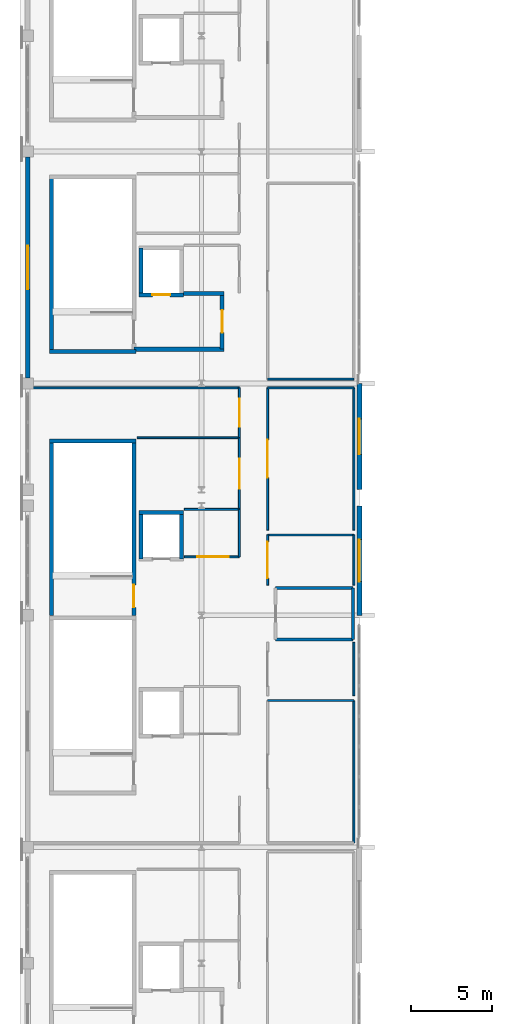
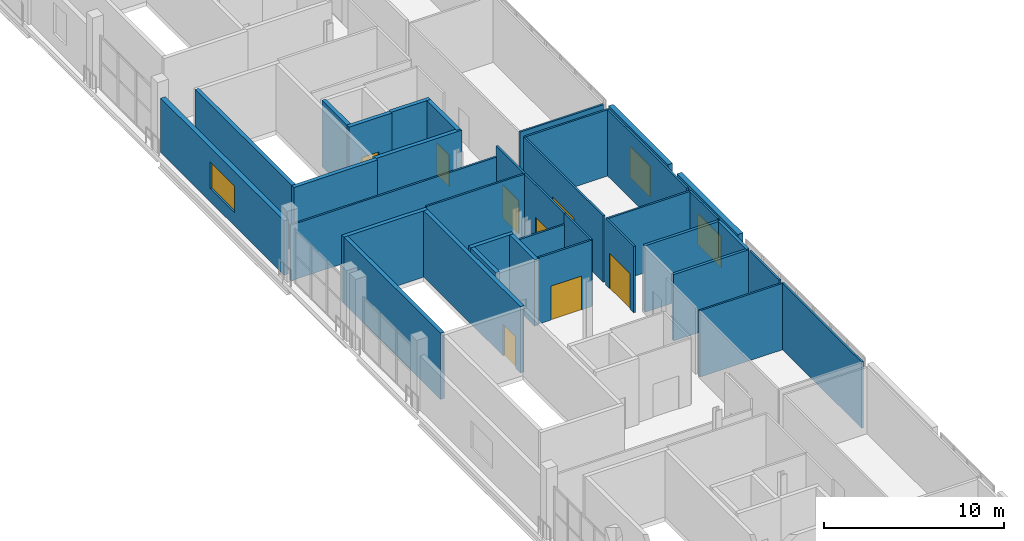
# One storey, part 14 of 19: 36 walls, 8 doors, 3 windows, 11 openings.
"""IFC4 building model written with IfcOpenShell, lengths in metres."""

from ifc_helpers import new_model, si_unit, direction, frame, frame_2d, origin, place, context, subcontext, project, spatial, rectangle, extrude, material, layer, layer_set, type_object, element, fill, save


model = new_model("IFC4")

# Units and contexts
model_context = context("Model", 3, precision=1e-05, world=origin(), true_north=direction((0.0, 1.0)))
body_context = subcontext(model_context, "Body", "Model", "MODEL_VIEW")
ifc_project = project(units=[si_unit("LENGTHUNIT", "METRE"), si_unit("AREAUNIT", "SQUARE_METRE"), si_unit("VOLUMEUNIT", "CUBIC_METRE"), si_unit("PLANEANGLEUNIT", "RADIAN"), si_unit("MASSUNIT", "GRAM", prefix="KILO")], contexts=[model_context])

# Site, building, storey
site_placement = place(None, origin())
site = spatial("IfcSite", under=ifc_project, at=site_placement, CompositionType="ELEMENT")
building_placement = place(site_placement, origin())
building = spatial("IfcBuilding", under=site, at=building_placement, Name="Koshinbarg Plaza Stadium", CompositionType="ELEMENT")
storey_placement = place(building_placement, frame((0.0, 0.0, 29.39990234375)))
storey = spatial("IfcBuildingStorey", under=building, at=storey_placement, Name="L06", CompositionType="ELEMENT", Elevation=29.39990234375)

# Walls
ifc_material_1 = material(Name="Concrete C40/50", Category="concrete")
ifc_layer_1 = layer(ifc_material_1, 0.25)
ifc_layer_set_1 = layer_set([ifc_layer_1], Name="Concrete C40/50")
wall_type_1 = type_object("IfcWallType", Name="WL-CORE-250", PredefinedType="SHEAR", material=ifc_layer_set_1)
wall_1_placement = place(storey_placement, frame((31.320068359375, 79.52490234375, 0.0), z_axis=(0.0, 0.0, 1.0), x_axis=(-1.0, 0.0, 0.0)))
element("IfcWall", 1, at=wall_1_placement, inside=storey, type_object=wall_type_1, Name="L06 core stair shear wall C04-far IWL-L06-0103", PredefinedType="SHEAR", context=body_context, shape_type="SweptSolid", body=[
    extrude(rectangle(XDim=5.3701171875, YDim=0.25, at=frame_2d((2.68505859375, 0.0))), origin(), (0.0, 0.0, 1.0), 4.5),
])
wall_2_placement = place(storey_placement, frame((26.074951171875, 68.675048828125, 0.0), z_axis=(0.0, 0.0, 1.0), x_axis=(0.0, 1.0, 0.0)))
element("IfcWall", 2, at=wall_2_placement, inside=storey, type_object=wall_type_1, Name="L06 core stair shear wall C04-left IWL-L06-0104", PredefinedType="SHEAR", context=body_context, shape_type="SweptSolid", body=[
    extrude(rectangle(XDim=10.849853515625, YDim=0.25, at=frame_2d((5.4248046875, 0.0))), origin(), (0.0, 0.0, 1.0), 4.5),
])

# Wall, opening, door
wall_3_placement = place(storey_placement, frame((31.195068359375, 68.675048828125, 0.0), z_axis=(0.0, 0.0, 1.0), x_axis=(0.0, 1.0, 0.0)))
wall_3 = element("IfcWall", 3, at=wall_3_placement, inside=storey, type_object=wall_type_1, Name="L06 core stair shear wall C04-right IWL-L06-0105", PredefinedType="SHEAR", context=body_context, shape_type="SweptSolid", body=[
    extrude(rectangle(XDim=10.849853515625, YDim=0.25, at=frame_2d((5.4248046875, 0.0))), origin(), (0.0, 0.0, 1.0), 4.5),
])
opening_1_placement = place(wall_3_placement, frame((0.52001953125, 0.0, 0.0)))
opening_1 = element("IfcOpeningElement", 4, at=opening_1_placement, cuts=wall_3, Name="Opening D-0088", PredefinedType="OPENING", context=body_context, shape_type="SweptSolid", body=[
    extrude(rectangle(XDim=1.39990234375, YDim=2.14990234375, at=frame_2d((0.699951171875, 1.074951171875))), frame((0.0, 0.135009765625, 0.0), z_axis=(0.0, -1.0, 0.0), x_axis=(1.0, 0.0, 0.0)), (0.0, 0.0, 1.0), 0.27001953125),
])
ifc_material_2 = material(Name="Painted galvanized steel fire door", Category="steel")
door_type_1 = type_object("IfcDoorType", Name="DR-STAIR-1400", OperationType="NOTDEFINED", PredefinedType="DOOR", material=ifc_material_2)
door_1_placement = place(opening_1_placement, origin())
door_1 = element("IfcDoor", 5, at=door_1_placement, inside=storey, type_object=door_type_1, Name="L06 exit stair door C04", OperationType="SINGLE_SWING_LEFT", OverallHeight=2.14990234375, OverallWidth=1.39990234375, PredefinedType="DOOR", context=body_context, shape_type="SweptSolid", body=[
    extrude(rectangle(XDim=1.39990234375, YDim=2.14990234375, at=frame_2d((0.699951171875, 1.074951171875))), frame((0.0, 0.02490234375, 0.0), z_axis=(0.0, -1.0, 0.0), x_axis=(1.0, 0.0, 0.0)), (0.0, 0.0, 1.0), 0.050048828125),
])
fill(opening_1, door_1)

# Walls
wall_4_placement = place(storey_placement, frame((25.949951171875, 85.074951171875, 0.0), z_axis=(0.0, 0.0, 1.0), x_axis=(1.0, 0.0, 0.0)))
element("IfcWall", 6, at=wall_4_placement, inside=storey, type_object=wall_type_1, Name="L06 core stair shear wall C05-near IWL-L06-0130", PredefinedType="SHEAR", context=body_context, shape_type="SweptSolid", body=[
    extrude(rectangle(XDim=5.3701171875, YDim=0.25, at=frame_2d((2.68505859375, 0.0))), origin(), (0.0, 0.0, 1.0), 4.5),
])
wall_5_placement = place(storey_placement, frame((26.074951171875, 85.074951171875, 0.0), z_axis=(0.0, 0.0, 1.0), x_axis=(0.0, 1.0, 0.0)))
element("IfcWall", 7, at=wall_5_placement, inside=storey, type_object=wall_type_1, Name="L06 core stair shear wall C05-left IWL-L06-0132", PredefinedType="SHEAR", context=body_context, shape_type="SweptSolid", body=[
    extrude(rectangle(XDim=10.85009765625, YDim=0.25, at=frame_2d((5.425048828125, 0.0))), origin(), (0.0, 0.0, 1.0), 4.5),
])
wall_6_placement = place(storey_placement, frame((34.27490234375, 75.10009765625, 0.0), z_axis=(0.0, 0.0, 1.0), x_axis=(-1.0, 0.0, 0.0)))
element("IfcWall", 8, at=wall_6_placement, inside=storey, type_object=wall_type_1, Name="L06 lift shaft shear wall LP02-N IWL-L06-0761", PredefinedType="SHEAR", context=body_context, shape_type="SweptSolid", body=[
    extrude(rectangle(XDim=2.75, YDim=0.25, at=frame_2d((1.375, 0.0))), origin(), (0.0, 0.0, 1.0), 4.5),
])
for number, where, z_axis, x_axis, name in (
    (9, (31.64990234375, 75.10009765625, 0.0), (0.0, 0.0, 1.0), (0.0, -1.0, 0.0), "L06 lift shaft shear wall LP02-W IWL-L06-0762"),
    (10, (34.14990234375, 72.199951171875, 0.0), (0.0, 0.0, 1.0), (0.0, 1.0, 0.0), "L06 lift shaft shear wall LP02-E IWL-L06-0763"),
):
    element("IfcWall", number, at=place(storey_placement, frame(where, z_axis=z_axis, x_axis=x_axis)), inside=storey, type_object=wall_type_1, Name=name, PredefinedType="SHEAR", context=body_context, shape_type="SweptSolid", body=[
        extrude(rectangle(XDim=2.900146484375, YDim=0.25, at=frame_2d((1.4501953125, 0.0))), origin(), (0.0, 0.0, 1.0), 4.5),
    ])

# Wall, opening, door
wall_7_placement = place(storey_placement, frame((31.52490234375, 88.60009765625, 0.0), z_axis=(0.0, 0.0, 1.0), x_axis=(1.0, 0.0, 0.0)))
wall_7 = element("IfcWall", 11, at=wall_7_placement, inside=storey, type_object=wall_type_1, Name="L06 lift shaft shear wall FL03-S IWL-L06-0806", PredefinedType="SHEAR", context=body_context, shape_type="SweptSolid", body=[
    extrude(rectangle(XDim=2.75, YDim=0.25, at=frame_2d((1.375, 0.0))), origin(), (0.0, 0.0, 1.0), 4.5),
])
opening_2_placement = place(wall_7_placement, frame((0.824951171875, 0.0, 0.0)))
opening_2 = element("IfcOpeningElement", 12, at=opening_2_placement, cuts=wall_7, Name="Opening D-0269", PredefinedType="OPENING", context=body_context, shape_type="SweptSolid", body=[
    extrude(rectangle(XDim=1.10009765625, YDim=2.14990234375, at=frame_2d((0.550048828125, 1.074951171875))), frame((0.0, 0.135009765625, 0.0), z_axis=(0.0, -1.0, 0.0), x_axis=(1.0, 0.0, 0.0)), (0.0, 0.0, 1.0), 0.27001953125),
])
ifc_material_3 = material(Name="Brushed stainless steel sliding lift landing door", Category="steel")
door_type_2 = type_object("IfcDoorType", Name="DR-LIFT-1100", OperationType="NOTDEFINED", PredefinedType="DOOR", material=ifc_material_3)
door_2_placement = place(opening_2_placement, origin())
door_2 = element("IfcDoor", 13, at=door_2_placement, inside=storey, type_object=door_type_2, Name="L06 lift landing door FL03", OperationType="SLIDING_TO_RIGHT", OverallHeight=2.14990234375, OverallWidth=1.10009765625, PredefinedType="DOOR", context=body_context, shape_type="SweptSolid", body=[
    extrude(rectangle(XDim=1.10009765625, YDim=2.14990234375, at=frame_2d((0.550048828125, 1.074951171875))), frame((0.0, 0.02490234375, 0.0), z_axis=(0.0, -1.0, 0.0), x_axis=(1.0, 0.0, 0.0)), (0.0, 0.0, 1.0), 0.050048828125),
])
fill(opening_2, door_2)

# Wall
wall_8_placement = place(storey_placement, frame((31.64990234375, 91.5, 0.0), z_axis=(0.0, 0.0, 1.0), x_axis=(0.0, -1.0, 0.0)))
element("IfcWall", 14, at=wall_8_placement, inside=storey, type_object=wall_type_1, Name="L06 lift shaft shear wall FL03-W IWL-L06-0808", PredefinedType="SHEAR", context=body_context, shape_type="SweptSolid", body=[
    extrude(rectangle(XDim=2.89990234375, YDim=0.25, at=frame_2d((1.449951171875, 0.0))), origin(), (0.0, 0.0, 1.0), 4.5),
])

# Wall, opening, door
wall_9_placement = place(storey_placement, frame((36.675048828125, 85.22509765625, 0.0), z_axis=(0.0, 0.0, 1.0), x_axis=(0.0, 1.0, 0.0)))
wall_9 = element("IfcWall", 15, at=wall_9_placement, inside=storey, type_object=wall_type_1, Name="L06 firefighting lobby wall C05-E IWL-L06-0810", PredefinedType="SHEAR", context=body_context, shape_type="SweptSolid", body=[
    extrude(rectangle(XDim=3.449951171875, YDim=0.25, at=frame_2d((1.72509765625, 0.0))), origin(), (0.0, 0.0, 1.0), 4.5),
])
opening_3_placement = place(wall_9_placement, frame((1.02490234375, 0.0, 0.0)))
opening_3 = element("IfcOpeningElement", 16, at=opening_3_placement, cuts=wall_9, Name="Opening D-0270", PredefinedType="OPENING", context=body_context, shape_type="SweptSolid", body=[
    extrude(rectangle(XDim=1.39990234375, YDim=2.14990234375, at=frame_2d((0.699951171875, 1.074951171875))), frame((0.0, 0.135009765625, 0.0), z_axis=(0.0, -1.0, 0.0), x_axis=(1.0, 0.0, 0.0)), (0.0, 0.0, 1.0), 0.27001953125),
])
ifc_material_4 = material(Name="Smoke-sealed steel firefighting lobby door", Category="steel")
door_type_3 = type_object("IfcDoorType", Name="DR-FFLOB-1400", OperationType="NOTDEFINED", PredefinedType="DOOR", material=ifc_material_4)
door_3_placement = place(opening_3_placement, origin())
door_3 = element("IfcDoor", 17, at=door_3_placement, inside=storey, type_object=door_type_3, Name="L06 firefighting lobby fire door C05", OperationType="DOUBLE_DOOR_SINGLE_SWING", OverallHeight=2.14990234375, OverallWidth=1.39990234375, PredefinedType="DOOR", context=body_context, shape_type="SweptSolid", body=[
    extrude(rectangle(XDim=1.39990234375, YDim=2.14990234375, at=frame_2d((0.699951171875, 1.074951171875))), frame((0.0, 0.02490234375, 0.0), z_axis=(0.0, -1.0, 0.0), x_axis=(1.0, 0.0, 0.0)), (0.0, 0.0, 1.0), 0.050048828125),
])
fill(opening_3, door_3)

# Walls
wall_10_placement = place(storey_placement, frame((34.27490234375, 88.675048828125, 0.0), z_axis=(0.0, 0.0, 1.0), x_axis=(1.0, 0.0, 0.0)))
element("IfcWall", 18, at=wall_10_placement, inside=storey, type_object=wall_type_1, Name="L06 firefighting lobby wall C05-NE IWL-L06-0811", PredefinedType="SHEAR", context=body_context, shape_type="SweptSolid", body=[
    extrude(rectangle(XDim=2.525146484375, YDim=0.25, at=frame_2d((1.2626953125, 0.0))), origin(), (0.0, 0.0, 1.0), 4.5),
])
wall_11_placement = place(storey_placement, frame((31.199951171875, 85.22509765625, 0.0), z_axis=(0.0, 0.0, 1.0), x_axis=(1.0, 0.0, 0.0)))
element("IfcWall", 19, at=wall_11_placement, inside=storey, type_object=wall_type_1, Name="L06 firefighting lobby wall C05-S IWL-L06-0812", PredefinedType="SHEAR", context=body_context, shape_type="SweptSolid", body=[
    extrude(rectangle(XDim=5.60009765625, YDim=0.25, at=frame_2d((2.800048828125, 0.0))), origin(), (0.0, 0.0, 1.0), 4.5),
])

# Wall, opening, window
ifc_material_5 = material(Name="Off-white mineral plaster insulated wall", Category="masonry")
ifc_layer_2 = layer(ifc_material_5, 0.300048828125)
ifc_layer_set_2 = layer_set([ifc_layer_2], Name="Off-white mineral plaster insulated wall")
wall_type_2 = type_object("IfcWallType", Name="WL-EXT-300", PredefinedType="SOLIDWALL", material=ifc_layer_set_2)
wall_12_placement = place(storey_placement, frame((24.60009765625, 83.445068359375, 0.0), z_axis=(0.0, 0.0, 1.0), x_axis=(0.0, 1.0, 0.0)))
wall_12 = element("IfcWall", 20, at=wall_12_placement, inside=storey, type_object=wall_type_2, Name="L06 exterior envelope wall EWL-L06-0249", PredefinedType="SOLIDWALL", context=body_context, shape_type="SweptSolid", body=[
    extrude(rectangle(XDim=13.7099609375, YDim=0.300048828125, at=frame_2d((6.85498046875, 0.0))), origin(), (0.0, 0.0, 1.0), 3.68017578125),
])
opening_4_placement = place(wall_12_placement, frame((5.5048828125, 0.0, 0.89990234375)))
opening_4 = element("IfcOpeningElement", 21, at=opening_4_placement, cuts=wall_12, Name="Opening WN12", PredefinedType="OPENING", context=body_context, shape_type="SweptSolid", body=[
    extrude(rectangle(XDim=2.699951171875, YDim=1.800048828125, at=frame_2d((1.35009765625, 0.89990234375))), frame((0.0, 0.159912109375, 0.0), z_axis=(0.0, -1.0, 0.0), x_axis=(1.0, 0.0, 0.0)), (0.0, 0.0, 1.0), 0.320068359375),
])
ifc_material_6 = material(Name="Solar-control double glazing in thermally broken aluminium frame", Category="aluminium")
window_type_1 = type_object("IfcWindowType", Name="WN-FAC-12", PartitioningType="DOUBLE_PANEL_VERTICAL", PredefinedType="WINDOW", material=ifc_material_6)
window_1_placement = place(opening_4_placement, origin())
window_1 = element("IfcWindow", 22, at=window_1_placement, inside=storey, type_object=window_type_1, Name="L06 facade window 0180", OverallHeight=1.800048828125, OverallWidth=2.699951171875, PartitioningType="SINGLE_PANEL", PredefinedType="WINDOW", context=body_context, shape_type="SweptSolid", body=[
    extrude(rectangle(XDim=2.699951171875, YDim=1.800048828125, at=frame_2d((1.35009765625, 0.89990234375))), frame((0.0, 0.030029296875, 0.0), z_axis=(0.0, -1.0, 0.0), x_axis=(1.0, 0.0, 0.0)), (0.0, 0.0, 1.0), 0.06005859375),
])
fill(opening_4, window_1)

wall_13_placement = place(storey_placement, frame((45.199951171875, 83.10009765625, 0.0), z_axis=(0.0, 0.0, 1.0), x_axis=(0.0, -1.0, 0.0)))
wall_13 = element("IfcWall", 23, at=wall_13_placement, inside=storey, type_object=wall_type_2, Name="L06 exterior envelope wall EWL-L06-0253", PredefinedType="SOLIDWALL", context=body_context, shape_type="SweptSolid", body=[
    extrude(rectangle(XDim=6.60009765625, YDim=0.300048828125, at=frame_2d((3.300048828125, 0.0))), origin(), (0.0, 0.0, 1.0), 4.47998046875),
])
opening_5_placement = place(wall_13_placement, frame((2.199951171875, 0.0, 0.89990234375)))
opening_5 = element("IfcOpeningElement", 24, at=opening_5_placement, cuts=wall_13, Name="Opening WN15", PredefinedType="OPENING", context=body_context, shape_type="SweptSolid", body=[
    extrude(rectangle(XDim=2.199951171875, YDim=2.10009765625, at=frame_2d((1.10009765625, 1.050048828125))), frame((0.0, 0.159912109375, 0.0), z_axis=(0.0, -1.0, 0.0), x_axis=(1.0, 0.0, 0.0)), (0.0, 0.0, 1.0), 0.320068359375),
])
window_type_2 = type_object("IfcWindowType", Name="WN-FAC-15", PartitioningType="DOUBLE_PANEL_VERTICAL", PredefinedType="WINDOW", material=ifc_material_6)
window_2_placement = place(opening_5_placement, origin())
window_2 = element("IfcWindow", 25, at=window_2_placement, inside=storey, type_object=window_type_2, Name="L06 facade window 0183", OverallHeight=2.10009765625, OverallWidth=2.199951171875, PartitioningType="SINGLE_PANEL", PredefinedType="WINDOW", context=body_context, shape_type="SweptSolid", body=[
    extrude(rectangle(XDim=2.199951171875, YDim=2.10009765625, at=frame_2d((1.10009765625, 1.050048828125))), frame((0.0, 0.030029296875, 0.0), z_axis=(0.0, -1.0, 0.0), x_axis=(1.0, 0.0, 0.0)), (0.0, 0.0, 1.0), 0.06005859375),
])
fill(opening_5, window_2)

ifc_material_7 = material(Name="Ultramarine-blue pigmented mineral plaster facade wall", Category="masonry")
ifc_layer_3 = layer(ifc_material_7, 0.320068359375)
ifc_layer_set_3 = layer_set([ifc_layer_3], Name="Ultramarine-blue pigmented mineral plaster facade wall")
wall_type_3 = type_object("IfcWallType", Name="WL-EXT-320", PredefinedType="SOLIDWALL", material=ifc_layer_set_3)
wall_14_placement = place(storey_placement, frame((45.199951171875, 75.5, 0.0), z_axis=(0.0, 0.0, 1.0), x_axis=(0.0, -1.0, 0.0)))
wall_14 = element("IfcWall", 26, at=wall_14_placement, inside=storey, type_object=wall_type_3, Name="L06 exterior envelope wall EWL-L06-0254", PredefinedType="SOLIDWALL", context=body_context, shape_type="SweptSolid", body=[
    extrude(rectangle(XDim=6.800048828125, YDim=0.320068359375, at=frame_2d((3.39990234375, 0.0))), origin(), (0.0, 0.0, 1.0), 4.47998046875),
])
opening_6_placement = place(wall_14_placement, frame((2.10009765625, 0.0, 0.89990234375)))
opening_6 = element("IfcOpeningElement", 27, at=opening_6_placement, cuts=wall_14, Name="Opening WN16", PredefinedType="OPENING", context=body_context, shape_type="SweptSolid", body=[
    extrude(rectangle(XDim=2.60009765625, YDim=2.10009765625, at=frame_2d((1.300048828125, 1.050048828125))), frame((0.0, 0.169921875, 0.0), z_axis=(0.0, -1.0, 0.0), x_axis=(1.0, 0.0, 0.0)), (0.0, 0.0, 1.0), 0.340087890625),
])
window_type_3 = type_object("IfcWindowType", Name="WN-FAC-16", PartitioningType="DOUBLE_PANEL_VERTICAL", PredefinedType="WINDOW", material=ifc_material_6)
window_3_placement = place(opening_6_placement, origin())
window_3 = element("IfcWindow", 28, at=window_3_placement, inside=storey, type_object=window_type_3, Name="L06 facade window 0184", OverallHeight=2.10009765625, OverallWidth=2.60009765625, PartitioningType="SINGLE_PANEL", PredefinedType="WINDOW", context=body_context, shape_type="SweptSolid", body=[
    extrude(rectangle(XDim=2.60009765625, YDim=2.10009765625, at=frame_2d((1.300048828125, 1.050048828125))), frame((0.0, 0.030029296875, 0.0), z_axis=(0.0, -1.0, 0.0), x_axis=(1.0, 0.0, 0.0)), (0.0, 0.0, 1.0), 0.06005859375),
])
fill(opening_6, window_3)

# Wall, opening, door
ifc_material_8 = material(Name="Gypsum board metal-stud acoustic partition")
ifc_layer_4 = layer(ifc_material_8, 0.1201171875)
ifc_layer_set_4 = layer_set([ifc_layer_4], Name="Gypsum board metal-stud acoustic partition")
wall_type_4 = type_object("IfcWallType", Name="WL-PART-120", PredefinedType="PARTITIONING", material=ifc_layer_set_4)
wall_15_placement = place(storey_placement, frame((37.75, 79.72998046875, 0.0), z_axis=(0.0, 0.0, 1.0), x_axis=(0.0, 1.0, 0.0)))
wall_15 = element("IfcWall", 29, at=wall_15_placement, inside=storey, type_object=wall_type_4, Name="L06 interior partition L06-30-east IWL-L06-2411", PredefinedType="PARTITIONING", context=body_context, shape_type="SweptSolid", body=[
    extrude(rectangle(XDim=3.10009765625, YDim=0.1201171875, at=frame_2d((1.550048828125, 0.0))), origin(), (0.0, 0.0, 1.0), 4.5),
])
opening_7_placement = place(wall_15_placement, frame((0.669921875, 0.0, 0.0)))
opening_7 = element("IfcOpeningElement", 30, at=opening_7_placement, cuts=wall_15, Name="Opening D-0837", PredefinedType="OPENING", context=body_context, shape_type="SweptSolid", body=[
    extrude(rectangle(XDim=1.760009765625, YDim=2.25, at=frame_2d((0.8798828125, 1.125))), frame((0.0, 0.070068359375, 0.0), z_axis=(0.0, -1.0, 0.0), x_axis=(1.0, 0.0, 0.0)), (0.0, 0.0, 1.0), 0.14013671875),
])
ifc_material_9 = material(Name="Solid-core oak veneer double swing door")
door_type_4 = type_object("IfcDoorType", Name="DR-INT-1760x2250", OperationType="NOTDEFINED", PredefinedType="DOOR", material=ifc_material_9)
door_4_placement = place(opening_7_placement, origin())
door_4 = element("IfcDoor", 31, at=door_4_placement, inside=storey, type_object=door_type_4, Name="L06 Members Panorama Lounge door D-0837", OperationType="DOUBLE_DOOR_SINGLE_SWING", OverallHeight=2.25, OverallWidth=1.760009765625, PredefinedType="DOOR", context=body_context, shape_type="SweptSolid", body=[
    extrude(rectangle(XDim=1.760009765625, YDim=2.25, at=frame_2d((0.8798828125, 1.125))), frame((0.0, 0.02490234375, 0.0), z_axis=(0.0, -1.0, 0.0), x_axis=(1.0, 0.0, 0.0)), (0.0, 0.0, 1.0), 0.050048828125),
])
fill(opening_7, door_4)

# Wall
wall_16_placement = place(storey_placement, frame((37.75, 82.830078125, 0.0), z_axis=(0.0, 0.0, 1.0), x_axis=(-1.0, 0.0, 0.0)))
element("IfcWall", 32, at=wall_16_placement, inside=storey, type_object=wall_type_4, Name="L06 interior partition L06-30-north IWL-L06-2412", PredefinedType="PARTITIONING", context=body_context, shape_type="SweptSolid", body=[
    extrude(rectangle(XDim=13.264892578125, YDim=0.1201171875, at=frame_2d((6.63232421875, 0.0))), origin(), (0.0, 0.0, 1.0), 3.780029296875),
])

# Wall, opening, door
wall_17_placement = place(storey_placement, frame((37.75, 75.280029296875, 0.0), z_axis=(0.0, 0.0, 1.0), x_axis=(0.0, 1.0, 0.0)))
wall_17 = element("IfcWall", 33, at=wall_17_placement, inside=storey, type_object=wall_type_4, Name="L06 interior partition L06-31-east IWL-L06-2413", PredefinedType="PARTITIONING", context=body_context, shape_type="SweptSolid", body=[
    extrude(rectangle(XDim=4.449951171875, YDim=0.1201171875, at=frame_2d((2.22509765625, 0.0))), origin(), (0.0, 0.0, 1.0), 4.5),
])
opening_8_placement = place(wall_17_placement, frame((1.294921875, 0.0, 0.0)))
opening_8 = element("IfcOpeningElement", 34, at=opening_8_placement, cuts=wall_17, Name="Opening D-0838", PredefinedType="OPENING", context=body_context, shape_type="SweptSolid", body=[
    extrude(rectangle(XDim=1.860107421875, YDim=2.300048828125, at=frame_2d((0.93017578125, 1.14990234375))), frame((0.0, 0.070068359375, 0.0), z_axis=(0.0, -1.0, 0.0), x_axis=(1.0, 0.0, 0.0)), (0.0, 0.0, 1.0), 0.14013671875),
])
ifc_material_10 = material(Name="Acoustic solid-core walnut veneer fire door")
door_type_5 = type_object("IfcDoorType", Name="DR-INT-1860x2300", OperationType="NOTDEFINED", PredefinedType="DOOR", material=ifc_material_10)
door_5_placement = place(opening_8_placement, origin())
door_5 = element("IfcDoor", 35, at=door_5_placement, inside=storey, type_object=door_type_5, Name="L06 Executive Board Dining Room door D-0838", OperationType="DOUBLE_DOOR_SINGLE_SWING", OverallHeight=2.300048828125, OverallWidth=1.860107421875, PredefinedType="DOOR", context=body_context, shape_type="SweptSolid", body=[
    extrude(rectangle(XDim=1.860107421875, YDim=2.300048828125, at=frame_2d((0.93017578125, 1.14990234375))), frame((0.0, 0.02490234375, 0.0), z_axis=(0.0, -1.0, 0.0), x_axis=(1.0, 0.0, 0.0)), (0.0, 0.0, 1.0), 0.050048828125),
])
fill(opening_8, door_5)

# Wall
wall_18_placement = place(storey_placement, frame((37.75, 79.72998046875, 0.0), z_axis=(0.0, 0.0, 1.0), x_axis=(-1.0, 0.0, 0.0)))
element("IfcWall", 36, at=wall_18_placement, inside=storey, type_object=wall_type_4, Name="L06 interior partition L06-31-north IWL-L06-2414", PredefinedType="PARTITIONING", context=body_context, shape_type="SweptSolid", body=[
    extrude(rectangle(XDim=6.35009765625, YDim=0.1201171875, at=frame_2d((3.175048828125, 0.0))), origin(), (0.0, 0.0, 1.0), 4.5),
])

# Wall, opening, door
wall_19_placement = place(storey_placement, frame((34.330078125, 72.330078125, 0.0), z_axis=(0.0, 0.0, 1.0), x_axis=(1.0, 0.0, 0.0)))
wall_19 = element("IfcWall", 37, at=wall_19_placement, inside=storey, type_object=wall_type_4, Name="L06 interior partition L06-32-south IWL-L06-2415", PredefinedType="PARTITIONING", context=body_context, shape_type="SweptSolid", body=[
    extrude(rectangle(XDim=3.419921875, YDim=0.1201171875, at=frame_2d((1.7099609375, 0.0))), origin(), (0.0, 0.0, 1.0), 4.5),
])
opening_9_placement = place(wall_19_placement, frame((0.790771484375, 0.0, 0.0)))
opening_9 = element("IfcOpeningElement", 38, at=opening_9_placement, cuts=wall_19, Name="Opening D-0839", PredefinedType="OPENING", context=body_context, shape_type="SweptSolid", body=[
    extrude(rectangle(XDim=1.9599609375, YDim=2.300048828125, at=frame_2d((0.97998046875, 1.14990234375))), frame((0.0, 0.070068359375, 0.0), z_axis=(0.0, -1.0, 0.0), x_axis=(1.0, 0.0, 0.0)), (0.0, 0.0, 1.0), 0.14013671875),
])
ifc_material_11 = material(Name="Bronze-anodised aluminium glazed double door", Category="aluminium")
door_type_6 = type_object("IfcDoorType", Name="DR-INT-1960x2300", OperationType="NOTDEFINED", PredefinedType="DOOR", material=ifc_material_11)
door_6_placement = place(opening_9_placement, origin())
door_6 = element("IfcDoor", 39, at=door_6_placement, inside=storey, type_object=door_type_6, Name="L06 Sky Observatory Salon door D-0839", OperationType="DOUBLE_DOOR_SINGLE_SWING", OverallHeight=2.300048828125, OverallWidth=1.9599609375, PredefinedType="DOOR", context=body_context, shape_type="SweptSolid", body=[
    extrude(rectangle(XDim=1.9599609375, YDim=2.300048828125, at=frame_2d((0.97998046875, 1.14990234375))), frame((0.0, 0.02490234375, 0.0), z_axis=(0.0, -1.0, 0.0), x_axis=(1.0, 0.0, 0.0)), (0.0, 0.0, 1.0), 0.050048828125),
])
fill(opening_9, door_6)

# Walls
wall_20_placement = place(storey_placement, frame((37.75, 72.330078125, 0.0), z_axis=(0.0, 0.0, 1.0), x_axis=(0.0, 1.0, 0.0)))
element("IfcWall", 40, at=wall_20_placement, inside=storey, type_object=wall_type_4, Name="L06 interior partition L06-32-east IWL-L06-2416", PredefinedType="PARTITIONING", context=body_context, shape_type="SweptSolid", body=[
    extrude(rectangle(XDim=2.949951171875, YDim=0.1201171875, at=frame_2d((1.47509765625, 0.0))), origin(), (0.0, 0.0, 1.0), 4.5),
])
wall_21_placement = place(storey_placement, frame((37.75, 75.280029296875, 0.0), z_axis=(0.0, 0.0, 1.0), x_axis=(-1.0, 0.0, 0.0)))
element("IfcWall", 41, at=wall_21_placement, inside=storey, type_object=wall_type_4, Name="L06 interior partition L06-32-north IWL-L06-2417", PredefinedType="PARTITIONING", context=body_context, shape_type="SweptSolid", body=[
    extrude(rectangle(XDim=3.419921875, YDim=0.1201171875, at=frame_2d((1.7099609375, 0.0))), origin(), (0.0, 0.0, 1.0), 3.780029296875),
])
wall_22_placement = place(storey_placement, frame((44.860107421875, 54.570068359375, 0.0), z_axis=(0.0, 0.0, 1.0), x_axis=(0.0, 1.0, 0.0)))
element("IfcWall", 42, at=wall_22_placement, inside=storey, type_object=wall_type_4, Name="L06 interior partition L06-33-east IWL-L06-2419", PredefinedType="PARTITIONING", context=body_context, shape_type="SweptSolid", body=[
    extrude(rectangle(XDim=8.839111328125, YDim=0.1201171875, at=frame_2d((4.41943359375, 0.0))), origin(), (0.0, 0.0, 1.0), 4.5),
])
wall_23_placement = place(storey_placement, frame((44.860107421875, 63.4091796875, 0.0), z_axis=(0.0, 0.0, 1.0), x_axis=(-1.0, 0.0, 0.0)))
element("IfcWall", 43, at=wall_23_placement, inside=storey, type_object=wall_type_4, Name="L06 interior partition L06-33-north IWL-L06-2420", PredefinedType="PARTITIONING", context=body_context, shape_type="SweptSolid", body=[
    extrude(rectangle(XDim=5.360107421875, YDim=0.1201171875, at=frame_2d((2.68017578125, 0.0))), origin(), (0.0, 0.0, 1.0), 4.5),
])
wall_24_placement = place(storey_placement, frame((44.860107421875, 63.709228515625, 0.0), z_axis=(0.0, 0.0, 1.0), x_axis=(0.0, 1.0, 0.0)))
element("IfcWall", 44, at=wall_24_placement, inside=storey, type_object=wall_type_4, Name="L06 interior partition L06-34-east IWL-L06-2422", PredefinedType="PARTITIONING", context=body_context, shape_type="SweptSolid", body=[
    extrude(rectangle(XDim=3.310791015625, YDim=0.1201171875, at=frame_2d((1.6552734375, 0.0))), origin(), (0.0, 0.0, 1.0), 4.5),
])
wall_25_placement = place(storey_placement, frame((44.860107421875, 70.580078125, 0.0), z_axis=(0.0, 0.0, 1.0), x_axis=(0.0, 1.0, 0.0)))
element("IfcWall", 45, at=wall_25_placement, inside=storey, type_object=wall_type_4, Name="L06 interior partition L06-35-east IWL-L06-2424", PredefinedType="PARTITIONING", context=body_context, shape_type="SweptSolid", body=[
    extrude(rectangle(XDim=3.11083984375, YDim=0.1201171875, at=frame_2d((1.555419921875, 0.0))), origin(), (0.0, 0.0, 1.0), 4.5),
])
wall_26_placement = place(storey_placement, frame((44.860107421875, 73.69091796875, 0.0), z_axis=(0.0, 0.0, 1.0), x_axis=(-1.0, 0.0, 0.0)))
element("IfcWall", 46, at=wall_26_placement, inside=storey, type_object=wall_type_4, Name="L06 interior partition L06-35-north IWL-L06-2425", PredefinedType="PARTITIONING", context=body_context, shape_type="SweptSolid", body=[
    extrude(rectangle(XDim=5.360107421875, YDim=0.1201171875, at=frame_2d((2.68017578125, 0.0))), origin(), (0.0, 0.0, 1.0), 4.5),
])

# Wall, opening, door
wall_27_placement = place(storey_placement, frame((39.5, 73.69091796875, 0.0), z_axis=(0.0, 0.0, 1.0), x_axis=(0.0, -1.0, 0.0)))
wall_27 = element("IfcWall", 47, at=wall_27_placement, inside=storey, type_object=wall_type_4, Name="L06 interior partition L06-35-west IWL-L06-2426", PredefinedType="PARTITIONING", context=body_context, shape_type="SweptSolid", body=[
    extrude(rectangle(XDim=3.11083984375, YDim=0.1201171875, at=frame_2d((1.555419921875, 0.0))), origin(), (0.0, 0.0, 1.0), 4.5),
])
opening_10_placement = place(wall_27_placement, frame((0.415283203125, 0.0, 0.0)))
opening_10 = element("IfcOpeningElement", 48, at=opening_10_placement, cuts=wall_27, Name="Opening D-0842", PredefinedType="OPENING", context=body_context, shape_type="SweptSolid", body=[
    extrude(rectangle(XDim=2.280029296875, YDim=2.39990234375, at=frame_2d((1.14013671875, 1.199951171875))), frame((0.0, 0.070068359375, 0.0), z_axis=(0.0, -1.0, 0.0), x_axis=(1.0, 0.0, 0.0)), (0.0, 0.0, 1.0), 0.14013671875),
])
ifc_material_12 = material(Name="Anodised aluminium and laminated glass portal door", Category="aluminium")
door_type_7 = type_object("IfcDoorType", Name="DR-INT-2280x2400", OperationType="NOTDEFINED", PredefinedType="DOOR", material=ifc_material_12)
door_7_placement = place(opening_10_placement, origin())
door_7 = element("IfcDoor", 49, at=door_7_placement, inside=storey, type_object=door_type_7, Name="L06 Sky Observatory Salon door D-0842", OperationType="DOUBLE_DOOR_SINGLE_SWING", OverallHeight=2.39990234375, OverallWidth=2.280029296875, PredefinedType="DOOR", context=body_context, shape_type="SweptSolid", body=[
    extrude(rectangle(XDim=2.280029296875, YDim=2.39990234375, at=frame_2d((1.14013671875, 1.199951171875))), frame((0.0, 0.02490234375, 0.0), z_axis=(0.0, -1.0, 0.0), x_axis=(1.0, 0.0, 0.0)), (0.0, 0.0, 1.0), 0.050048828125),
])
fill(opening_10, door_7)

# Walls
wall_28_placement = place(storey_placement, frame((44.860107421875, 73.99072265625, 0.0), z_axis=(0.0, 0.0, 1.0), x_axis=(0.0, 1.0, 0.0)))
element("IfcWall", 50, at=wall_28_placement, inside=storey, type_object=wall_type_4, Name="L06 interior partition L06-36-east IWL-L06-2427", PredefinedType="PARTITIONING", context=body_context, shape_type="SweptSolid", body=[
    extrude(rectangle(XDim=8.83935546875, YDim=0.1201171875, at=frame_2d((4.419677734375, 0.0))), origin(), (0.0, 0.0, 1.0), 4.5),
])
wall_29_placement = place(storey_placement, frame((44.860107421875, 82.830078125, 0.0), z_axis=(0.0, 0.0, 1.0), x_axis=(-1.0, 0.0, 0.0)))
element("IfcWall", 51, at=wall_29_placement, inside=storey, type_object=wall_type_4, Name="L06 interior partition L06-36-north IWL-L06-2428", PredefinedType="PARTITIONING", context=body_context, shape_type="SweptSolid", body=[
    extrude(rectangle(XDim=5.360107421875, YDim=0.1201171875, at=frame_2d((2.68017578125, 0.0))), origin(), (0.0, 0.0, 1.0), 4.5),
])

# Wall, opening, door
wall_30_placement = place(storey_placement, frame((39.5, 82.830078125, 0.0), z_axis=(0.0, 0.0, 1.0), x_axis=(0.0, -1.0, 0.0)))
wall_30 = element("IfcWall", 52, at=wall_30_placement, inside=storey, type_object=wall_type_4, Name="L06 interior partition L06-36-west IWL-L06-2429", PredefinedType="PARTITIONING", context=body_context, shape_type="SweptSolid", body=[
    extrude(rectangle(XDim=8.83935546875, YDim=0.1201171875, at=frame_2d((4.419677734375, 0.0))), origin(), (0.0, 0.0, 1.0), 4.5),
])
opening_11_placement = place(wall_30_placement, frame((3.239501953125, 0.0, 0.0)))
opening_11 = element("IfcOpeningElement", 53, at=opening_11_placement, cuts=wall_30, Name="Opening D-0843", PredefinedType="OPENING", context=body_context, shape_type="SweptSolid", body=[
    extrude(rectangle(XDim=2.360107421875, YDim=2.39990234375, at=frame_2d((1.18017578125, 1.199951171875))), frame((0.0, 0.070068359375, 0.0), z_axis=(0.0, -1.0, 0.0), x_axis=(1.0, 0.0, 0.0)), (0.0, 0.0, 1.0), 0.14013671875),
])
ifc_material_13 = material(Name="Powder-coated steel and tempered glass double door", Category="steel")
door_type_8 = type_object("IfcDoorType", Name="DR-INT-2360x2400", OperationType="NOTDEFINED", PredefinedType="DOOR", material=ifc_material_13)
door_8_placement = place(opening_11_placement, origin())
door_8 = element("IfcDoor", 54, at=door_8_placement, inside=storey, type_object=door_type_8, Name="L06 Sky Observatory Salon door D-0843", OperationType="DOUBLE_DOOR_SINGLE_SWING", OverallHeight=2.39990234375, OverallWidth=2.360107421875, PredefinedType="DOOR", context=body_context, shape_type="SweptSolid", body=[
    extrude(rectangle(XDim=2.360107421875, YDim=2.39990234375, at=frame_2d((1.18017578125, 1.199951171875))), frame((0.0, 0.02490234375, 0.0), z_axis=(0.0, -1.0, 0.0), x_axis=(1.0, 0.0, 0.0)), (0.0, 0.0, 1.0), 0.050048828125),
])
fill(opening_11, door_8)

# Walls
wall_31_placement = place(storey_placement, frame((39.5, 83.3701171875, 0.0), z_axis=(0.0, 0.0, 1.0), x_axis=(1.0, 0.0, 0.0)))
element("IfcWall", 55, at=wall_31_placement, inside=storey, type_object=wall_type_4, Name="L06 interior partition L06-42-south IWL-L06-2440", PredefinedType="PARTITIONING", context=body_context, shape_type="SweptSolid", body=[
    extrude(rectangle(XDim=5.360107421875, YDim=0.1201171875, at=frame_2d((2.68017578125, 0.0))), origin(), (0.0, 0.0, 1.0), 4.5),
])
ifc_material_14 = material(Name="Moisture-resistant tiled sanitary partition")
ifc_layer_5 = layer(ifc_material_14, 0.179931640625)
ifc_layer_set_5 = layer_set([ifc_layer_5], Name="Moisture-resistant tiled sanitary partition")
wall_type_5 = type_object("IfcWallType", Name="WL-PART-180", PredefinedType="PARTITIONING", material=ifc_layer_set_5)
wall_32_placement = place(storey_placement, frame((40.0, 67.199951171875, 0.0), z_axis=(0.0, 0.0, 1.0), x_axis=(1.0, 0.0, 0.0)))
element("IfcWall", 56, at=wall_32_placement, inside=storey, type_object=wall_type_5, Name="L06 interior partition L06-19-south IWL-L06-2385", PredefinedType="PARTITIONING", context=body_context, shape_type="SweptSolid", body=[
    extrude(rectangle(XDim=4.800048828125, YDim=0.179931640625, at=frame_2d((2.39990234375, 0.0))), origin(), (0.0, 0.0, 1.0), 4.5),
])
wall_33_placement = place(storey_placement, frame((44.800048828125, 67.199951171875, 0.0), z_axis=(0.0, 0.0, 1.0), x_axis=(0.0, 1.0, 0.0)))
element("IfcWall", 57, at=wall_33_placement, inside=storey, type_object=wall_type_5, Name="L06 interior partition L06-19-east IWL-L06-2386", PredefinedType="PARTITIONING", context=body_context, shape_type="SweptSolid", body=[
    extrude(rectangle(XDim=3.199951171875, YDim=0.179931640625, at=frame_2d((1.60009765625, 0.0))), origin(), (0.0, 0.0, 1.0), 4.5),
])
wall_34_placement = place(storey_placement, frame((44.800048828125, 70.39990234375, 0.0), z_axis=(0.0, 0.0, 1.0), x_axis=(-1.0, 0.0, 0.0)))
element("IfcWall", 58, at=wall_34_placement, inside=storey, type_object=wall_type_5, Name="L06 interior partition L06-19-north IWL-L06-2387", PredefinedType="PARTITIONING", context=body_context, shape_type="SweptSolid", body=[
    extrude(rectangle(XDim=4.800048828125, YDim=0.179931640625, at=frame_2d((2.39990234375, 0.0))), origin(), (0.0, 0.0, 1.0), 4.5),
])

save(model, "model.ifc")
